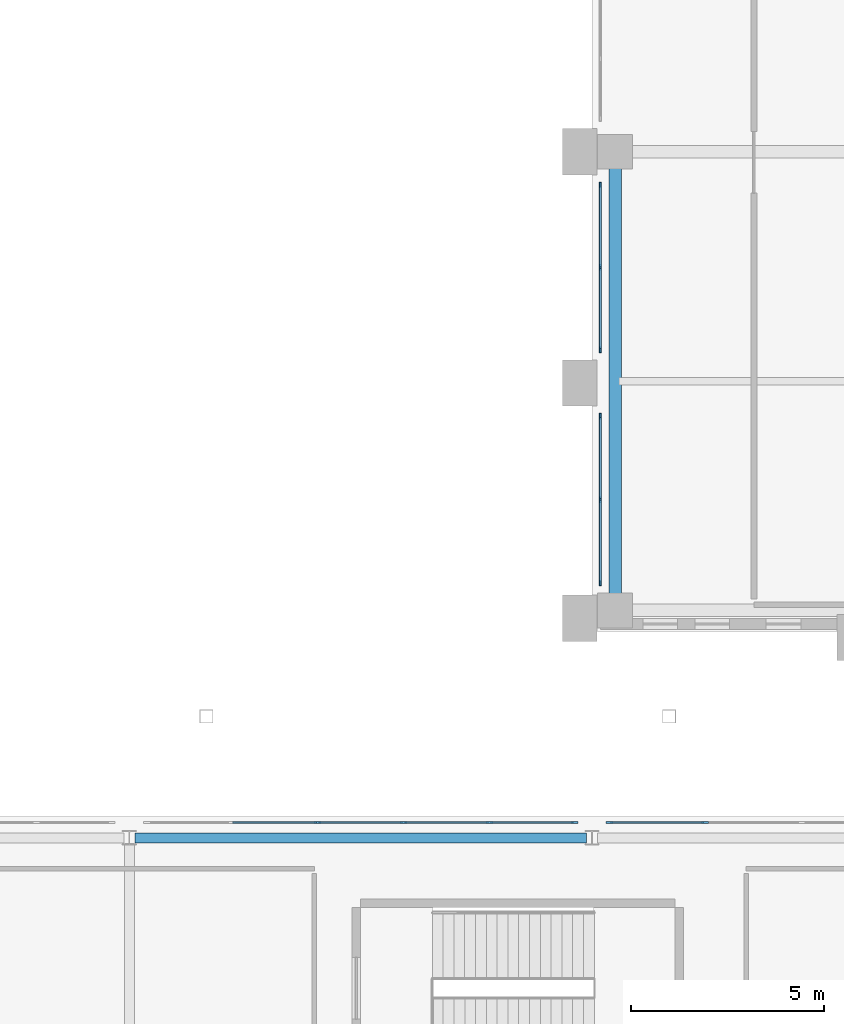
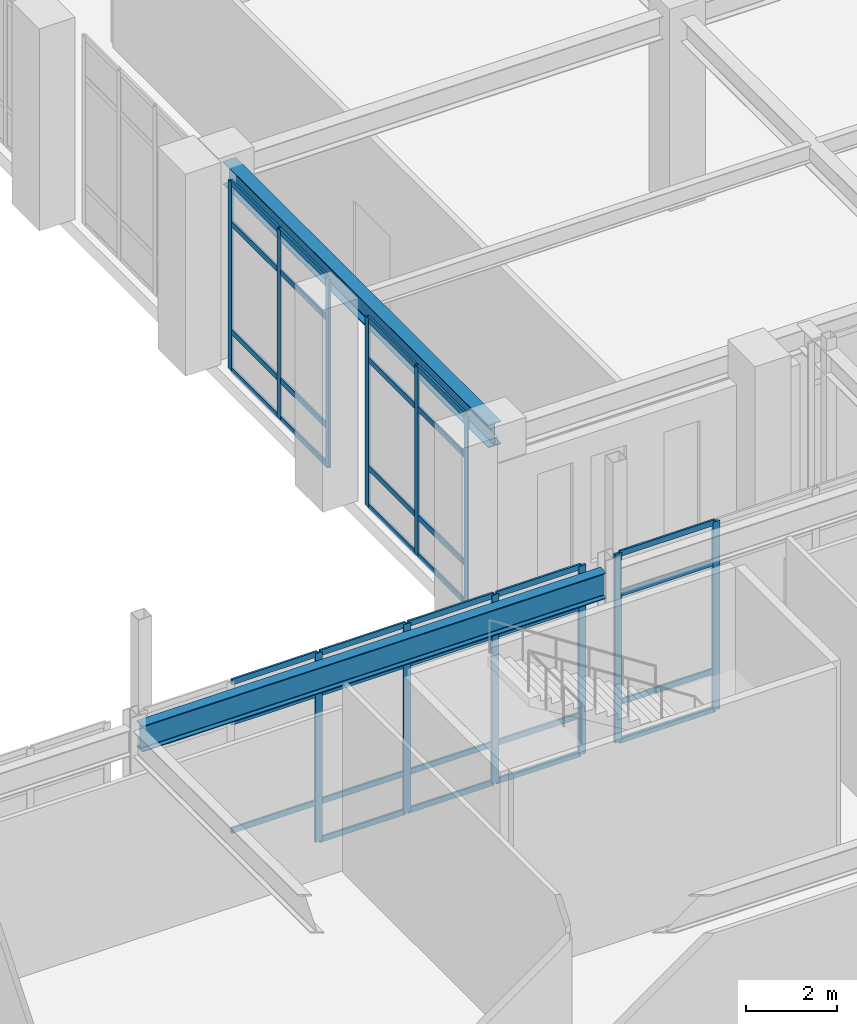
# One storey, part 75 of 159: 47 members, 2 beams, 4 elements without a shape of their own.
"""IFC4 building model written with IfcOpenShell, lengths in metres."""

from ifc_helpers import new_model, si_unit, derived_unit, direction, frame, origin, origin_2d, place, context, subcontext, project, spatial, rectangle, i_section, extrude, material, layer, layer_set, material_profile, profile_set, type_object, element, aggregate, save


model = new_model("IFC4")

# Units and contexts
model_context = context("Model", 3, precision=1e-05, world=origin(), true_north=direction((0.0, 1.0)))
body_context = subcontext(model_context, "Body", "Model", "MODEL_VIEW")
ifc_project = project(units=[si_unit("LENGTHUNIT", "METRE"), si_unit("AREAUNIT", "SQUARE_METRE"), si_unit("VOLUMEUNIT", "CUBIC_METRE"), si_unit("PLANEANGLEUNIT", "RADIAN"), si_unit("MASSUNIT", "GRAM", prefix="KILO"), derived_unit("THERMALTRANSMITTANCEUNIT", [(si_unit("MASSUNIT", "GRAM", prefix="KILO"), 1), (si_unit("TIMEUNIT", "SECOND"), -3), (si_unit("THERMODYNAMICTEMPERATUREUNIT", "KELVIN"), -1)])], contexts=[model_context])

# Site, building, storey
site_placement = place(None, origin())
site = spatial("IfcSite", under=ifc_project, at=site_placement, CompositionType="ELEMENT")
building_placement = place(site_placement, origin())
building = spatial("IfcBuilding", under=site, at=building_placement, Name="Valcora Ridge Arena", CompositionType="ELEMENT")
storey_placement = place(building_placement, frame((0.0, 0.0, 6.0)))
storey = spatial("IfcBuildingStorey", under=building, at=storey_placement, Name="L01", CompositionType="ELEMENT", Elevation=6.0)

# Beams
ifc_material_1 = material(Name="Steel ASTM A572 Grade 50", Category="steel")
ifc_material_profile_1 = material_profile(ifc_material_1, i_section(OverallWidth=0.324951171875, OverallDepth=0.612060546875, WebThickness=0.0126953125, FlangeThickness=0.01904296875, FilletRadius=0.01806640625, at=origin_2d()), Name="W24X104")
ifc_profile_set_1 = profile_set([ifc_material_profile_1], Name="Steel ASTM A572 Grade 50")
beam_type_1 = type_object("IfcBeamType", Name="TY-BEAM-G-W24X104-Y", PredefinedType="BEAM", material=ifc_profile_set_1)
beam_1_placement = place(storey_placement, frame((156.60009765625, 83.840087890625, 4.73388671875), z_axis=(0.0, 1.0, 0.0), x_axis=(-1.0, 0.0, 0.0)))
element("IfcBeam", 1, at=beam_1_placement, inside=storey, type_object=beam_type_1, Name="G-W24X104-Y BEM-G-W24X104-Y-0060", PredefinedType="BEAM", context=body_context, shape_type="SweptSolid", body=[
    extrude(i_section(OverallWidth=0.324951171875, OverallDepth=0.612060546875, WebThickness=0.0126953125, FlangeThickness=0.01904296875, FilletRadius=0.01806640625, at=origin_2d()), origin(), (0.0, 0.0, 1.0), 11.619873046875),
])
ifc_material_profile_2 = material_profile(ifc_material_1, i_section(OverallWidth=0.256103515625, OverallDepth=0.693115234375, WebThickness=0.014404296875, FlangeThickness=0.023681640625, FilletRadius=0.02001953125, at=origin_2d()), Name="W27X114")
ifc_profile_set_2 = profile_set([ifc_material_profile_2], Name="Steel ASTM A572 Grade 50")
beam_type_2 = type_object("IfcBeamType", Name="TY-BEAM-SP-W27X114", PredefinedType="SPANDREL", material=ifc_profile_set_2)
beam_2_placement = place(storey_placement, frame((144.139892578125, 77.800048828125, 4.693603515625), z_axis=(1.0, 0.0, 0.0), x_axis=(0.0, 1.0, 0.0)))
element("IfcBeam", 2, at=beam_2_placement, inside=storey, type_object=beam_type_2, Name="SP-W27X114 BEM-SP-W27X114-0017", PredefinedType="SPANDREL", context=body_context, shape_type="SweptSolid", body=[
    extrude(i_section(OverallWidth=0.256103515625, OverallDepth=0.693115234375, WebThickness=0.014404296875, FlangeThickness=0.023681640625, FilletRadius=0.02001953125, at=origin_2d()), origin(), (0.0, 0.0, 1.0), 11.72021484375),
])

# Curtain wall, members
ifc_material_2 = material(Name="Anodised dark bronze architectural aluminium 6063-T6", Category="aluminium")
ifc_layer_1 = layer(ifc_material_2, 0.14990234375, Name="Anodised dark bronze architectural aluminium 6063-T6")
ifc_layer_set_1 = layer_set([ifc_layer_1], Name="Anodised dark bronze architectural aluminium 6063-T6")
curtain_wall_type_1 = type_object("IfcCurtainWallType", Name="TY-CURTAINWALL-CW-V5-MED-044X50", PredefinedType="NOTDEFINED", material=ifc_layer_set_1)
curtain_wall_1_placement = place(storey_placement, origin())
curtain_wall_1 = element("IfcCurtainWall", 3, at=curtain_wall_1_placement, inside=storey, type_object=curtain_wall_type_1, Name="CW-V5-MED-044X50 CW-0322", PredefinedType="NOTDEFINED")
ifc_material_profile_3 = material_profile(ifc_material_2, rectangle(XDim=0.050048828125, YDim=0.14990234375, at=origin_2d()), Name="ALU MULLION 50x150")
ifc_profile_set_3 = profile_set([ifc_material_profile_3], Name="Anodised dark bronze architectural aluminium 6063-T6")
member_type_1 = type_object("IfcMemberType", Name="TY-MEM-CWM-50x150", PredefinedType="MULLION", material=ifc_profile_set_3)
member_1_placement = place(storey_placement, frame((156.219970703125, 84.4150390625, 0.0), z_axis=(0.0, 0.0, 1.0), x_axis=(-1.0, 0.0, 0.0)))
member_1 = element("IfcMember", 4, at=member_1_placement, type_object=member_type_1, Name="CW-0322/CWM-50x150/M00", PredefinedType="MULLION", context=body_context, shape_type="SweptSolid", body=[
    extrude(rectangle(XDim=0.050048828125, YDim=0.14990234375, at=origin_2d()), origin(), (0.0, 0.0, 1.0), 5.0400390625),
])
member_2_placement = place(storey_placement, frame((156.219970703125, 86.574951171875, 0.0), z_axis=(0.0, 0.0, 1.0), x_axis=(-1.0, 0.0, 0.0)))
member_2 = element("IfcMember", 5, at=member_2_placement, type_object=member_type_1, Name="CW-0322/CWM-50x150/M01", PredefinedType="MULLION", context=body_context, shape_type="SweptSolid", body=[
    extrude(rectangle(XDim=0.050048828125, YDim=0.14990234375, at=origin_2d()), origin(), (0.0, 0.0, 1.0), 5.0400390625),
])
member_3_placement = place(storey_placement, frame((156.219970703125, 88.735107421875, 0.0), z_axis=(0.0, 0.0, 1.0), x_axis=(-1.0, 0.0, 0.0)))
member_3 = element("IfcMember", 6, at=member_3_placement, type_object=member_type_1, Name="CW-0322/CWM-50x150/M02", PredefinedType="MULLION", context=body_context, shape_type="SweptSolid", body=[
    extrude(rectangle(XDim=0.050048828125, YDim=0.14990234375, at=origin_2d()), origin(), (0.0, 0.0, 1.0), 5.0400390625),
])

ifc_layer_2 = layer(ifc_material_2, 0.14990234375, Name="Anodised dark bronze architectural aluminium 6063-T6")
ifc_layer_set_2 = layer_set([ifc_layer_2], Name="Anodised dark bronze architectural aluminium 6063-T6")
curtain_wall_type_2 = type_object("IfcCurtainWallType", Name="TY-CURTAINWALL-CW-V5-MED-043X50", PredefinedType="NOTDEFINED", material=ifc_layer_set_2)
curtain_wall_2_placement = place(storey_placement, origin())
curtain_wall_2 = element("IfcCurtainWall", 7, at=curtain_wall_2_placement, inside=storey, type_object=curtain_wall_type_2, Name="CW-V5-MED-043X50 CW-0323", PredefinedType="NOTDEFINED")
member_4_placement = place(storey_placement, frame((156.219970703125, 90.465087890625, 0.0), z_axis=(0.0, 0.0, 1.0), x_axis=(-1.0, 0.0, 0.0)))
member_4 = element("IfcMember", 8, at=member_4_placement, type_object=member_type_1, Name="CW-0323/CWM-50x150/M00", PredefinedType="MULLION", context=body_context, shape_type="SweptSolid", body=[
    extrude(rectangle(XDim=0.050048828125, YDim=0.14990234375, at=origin_2d()), origin(), (0.0, 0.0, 1.0), 5.0400390625),
])
member_5_placement = place(storey_placement, frame((156.219970703125, 92.60009765625, 0.0), z_axis=(0.0, 0.0, 1.0), x_axis=(-1.0, 0.0, 0.0)))
member_5 = element("IfcMember", 9, at=member_5_placement, type_object=member_type_1, Name="CW-0323/CWM-50x150/M01", PredefinedType="MULLION", context=body_context, shape_type="SweptSolid", body=[
    extrude(rectangle(XDim=0.050048828125, YDim=0.14990234375, at=origin_2d()), origin(), (0.0, 0.0, 1.0), 5.0400390625),
])
member_6_placement = place(storey_placement, frame((156.219970703125, 94.735107421875, 0.0), z_axis=(0.0, 0.0, 1.0), x_axis=(-1.0, 0.0, 0.0)))
member_6 = element("IfcMember", 10, at=member_6_placement, type_object=member_type_1, Name="CW-0323/CWM-50x150/M02", PredefinedType="MULLION", context=body_context, shape_type="SweptSolid", body=[
    extrude(rectangle(XDim=0.050048828125, YDim=0.14990234375, at=origin_2d()), origin(), (0.0, 0.0, 1.0), 5.0400390625),
])

ifc_layer_3 = layer(ifc_material_2, 0.179931640625, Name="Anodised dark bronze architectural aluminium 6063-T6")
ifc_layer_set_3 = layer_set([ifc_layer_3], Name="Anodised dark bronze architectural aluminium 6063-T6")
curtain_wall_type_3 = type_object("IfcCurtainWallType", Name="TY-CURTAINWALL-CW-V2-GLAZ-111X50", PredefinedType="NOTDEFINED", material=ifc_layer_set_3)
curtain_wall_3_placement = place(storey_placement, origin())
curtain_wall_3 = element("IfcCurtainWall", 11, at=curtain_wall_3_placement, inside=storey, type_object=curtain_wall_type_3, Name="CW-V2-GLAZ-111X50 CW-0058", PredefinedType="NOTDEFINED")
ifc_material_profile_4 = material_profile(ifc_material_2, rectangle(XDim=0.06005859375, YDim=0.179931640625, at=origin_2d()), Name="ALU MULLION 60x180")
ifc_profile_set_4 = profile_set([ifc_material_profile_4], Name="Anodised dark bronze architectural aluminium 6063-T6")
member_type_2 = type_object("IfcMemberType", Name="TY-MEM-CWM-60x180", PredefinedType="MULLION", material=ifc_profile_set_4)
member_7_placement = place(storey_placement, frame((148.885498046875, 78.199951171875, 0.0), z_axis=(0.0, 0.0, 1.0), x_axis=(0.0, 1.0, 0.0)))
member_7 = element("IfcMember", 12, at=member_7_placement, type_object=member_type_2, Name="CW-0058/CWM-60x180/M02", PredefinedType="MULLION", context=body_context, shape_type="SweptSolid", body=[
    extrude(rectangle(XDim=0.06005859375, YDim=0.179931640625, at=origin_2d()), origin(), (0.0, 0.0, 1.0), 5.0400390625),
])
member_8_placement = place(storey_placement, frame((151.114501953125, 78.199951171875, 0.0), z_axis=(0.0, 0.0, 1.0), x_axis=(0.0, 1.0, 0.0)))
member_8 = element("IfcMember", 13, at=member_8_placement, type_object=member_type_2, Name="CW-0058/CWM-60x180/M03", PredefinedType="MULLION", context=body_context, shape_type="SweptSolid", body=[
    extrude(rectangle(XDim=0.06005859375, YDim=0.179931640625, at=origin_2d()), origin(), (0.0, 0.0, 1.0), 5.0400390625),
])
member_9_placement = place(storey_placement, frame((153.34375, 78.199951171875, 0.0), z_axis=(0.0, 0.0, 1.0), x_axis=(0.0, 1.0, 0.0)))
member_9 = element("IfcMember", 14, at=member_9_placement, type_object=member_type_2, Name="CW-0058/CWM-60x180/M04", PredefinedType="MULLION", context=body_context, shape_type="SweptSolid", body=[
    extrude(rectangle(XDim=0.06005859375, YDim=0.179931640625, at=origin_2d()), origin(), (0.0, 0.0, 1.0), 5.0400390625),
])
member_10_placement = place(storey_placement, frame((155.54296875, 78.199951171875, 0.0), z_axis=(0.0, 0.0, 1.0), x_axis=(0.0, 1.0, 0.0)))
member_10 = element("IfcMember", 15, at=member_10_placement, type_object=member_type_2, Name="CW-0058/CWM-60x180/M05", PredefinedType="MULLION", context=body_context, shape_type="SweptSolid", body=[
    extrude(rectangle(XDim=0.06005859375, YDim=0.179931640625, at=origin_2d()), origin(), (0.0, 0.0, 1.0), 5.0400390625),
])

ifc_layer_4 = layer(ifc_material_2, 0.179931640625, Name="Anodised dark bronze architectural aluminium 6063-T6")
ifc_layer_set_4 = layer_set([ifc_layer_4], Name="Anodised dark bronze architectural aluminium 6063-T6")
curtain_wall_type_4 = type_object("IfcCurtainWallType", Name="TY-CURTAINWALL-CW-V2-GLAZ-075X50", PredefinedType="NOTDEFINED", material=ifc_layer_set_4)
curtain_wall_4_placement = place(storey_placement, origin())
curtain_wall_4 = element("IfcCurtainWall", 16, at=curtain_wall_4_placement, inside=storey, type_object=curtain_wall_type_4, Name="CW-V2-GLAZ-075X50 CW-0059", PredefinedType="NOTDEFINED")
member_11_placement = place(storey_placement, frame((156.45703125, 78.199951171875, 0.0), z_axis=(0.0, 0.0, 1.0), x_axis=(0.0, 1.0, 0.0)))
member_11 = element("IfcMember", 17, at=member_11_placement, type_object=member_type_2, Name="CW-0059/CWM-60x180/M00", PredefinedType="MULLION", context=body_context, shape_type="SweptSolid", body=[
    extrude(rectangle(XDim=0.06005859375, YDim=0.179931640625, at=origin_2d()), origin(), (0.0, 0.0, 1.0), 5.0400390625),
])
member_12_placement = place(storey_placement, frame((158.934814453125, 78.199951171875, 0.0), z_axis=(0.0, 0.0, 1.0), x_axis=(0.0, 1.0, 0.0)))
member_12 = element("IfcMember", 18, at=member_12_placement, type_object=member_type_2, Name="CW-0059/CWM-60x180/M01", PredefinedType="MULLION", context=body_context, shape_type="SweptSolid", body=[
    extrude(rectangle(XDim=0.06005859375, YDim=0.179931640625, at=origin_2d()), origin(), (0.0, 0.0, 1.0), 5.0400390625),
])

# Member
ifc_material_profile_5 = material_profile(ifc_material_2, rectangle(XDim=0.050048828125, YDim=0.14990234375, at=origin_2d()), Name="ALU TRANSOM 50x150")
ifc_profile_set_5 = profile_set([ifc_material_profile_5], Name="Anodised dark bronze architectural aluminium 6063-T6")
member_type_3 = type_object("IfcMemberType", Name="TY-MEM-CWT-50x150", PredefinedType="USERDEFINED", material=ifc_profile_set_5)
member_13_placement = place(storey_placement, frame((146.68603515625, 78.199951171875, 1.050048828125), z_axis=(1.0, 0.0, 0.0), x_axis=(0.0, 1.0, 0.0)))
member_13 = element("IfcMember", 19, at=member_13_placement, type_object=member_type_3, Name="CW-0058/CWT-50x150/T01-01", ObjectType="TRANSOM", PredefinedType="USERDEFINED", context=body_context, shape_type="SweptSolid", body=[
    extrude(rectangle(XDim=0.050048828125, YDim=0.14990234375, at=origin_2d()), origin(), (0.0, 0.0, 1.0), 2.1689453125),
])

member_14_placement = place(storey_placement, frame((146.68603515625, 78.199951171875, 3.93994140625), z_axis=(1.0, 0.0, 0.0), x_axis=(0.0, 1.0, 0.0)))
member_14 = element("IfcMember", 20, at=member_14_placement, type_object=member_type_3, Name="CW-0058/CWT-50x150/T01-02", ObjectType="TRANSOM", PredefinedType="USERDEFINED", context=body_context, shape_type="SweptSolid", body=[
    extrude(rectangle(XDim=0.050048828125, YDim=0.14990234375, at=origin_2d()), origin(), (0.0, 0.0, 1.0), 2.1689453125),
])

member_15_placement = place(storey_placement, frame((146.68603515625, 78.199951171875, 5.014892578125), z_axis=(1.0, 0.0, 0.0), x_axis=(0.0, 1.0, 0.0)))
member_15 = element("IfcMember", 21, at=member_15_placement, type_object=member_type_3, Name="CW-0058/CWT-50x150/T01-03", ObjectType="TRANSOM", PredefinedType="USERDEFINED", context=body_context, shape_type="SweptSolid", body=[
    extrude(rectangle(XDim=0.050048828125, YDim=0.14990234375, at=origin_2d()), origin(), (0.0, 0.0, 1.0), 2.1689453125),
])

member_16_placement = place(storey_placement, frame((148.9150390625, 78.199951171875, 0.02490234375), z_axis=(1.0, 0.0, 0.0), x_axis=(0.0, 1.0, 0.0)))
member_16 = element("IfcMember", 22, at=member_16_placement, type_object=member_type_3, Name="CW-0058/CWT-50x150/T02-00", ObjectType="TRANSOM", PredefinedType="USERDEFINED", context=body_context, shape_type="SweptSolid", body=[
    extrude(rectangle(XDim=0.050048828125, YDim=0.14990234375, at=origin_2d()), origin(), (0.0, 0.0, 1.0), 2.169921875),
])

member_17_placement = place(storey_placement, frame((148.9150390625, 78.199951171875, 1.050048828125), z_axis=(1.0, 0.0, 0.0), x_axis=(0.0, 1.0, 0.0)))
member_17 = element("IfcMember", 23, at=member_17_placement, type_object=member_type_3, Name="CW-0058/CWT-50x150/T02-01", ObjectType="TRANSOM", PredefinedType="USERDEFINED", context=body_context, shape_type="SweptSolid", body=[
    extrude(rectangle(XDim=0.050048828125, YDim=0.14990234375, at=origin_2d()), origin(), (0.0, 0.0, 1.0), 2.169921875),
])

member_18_placement = place(storey_placement, frame((148.9150390625, 78.199951171875, 3.93994140625), z_axis=(1.0, 0.0, 0.0), x_axis=(0.0, 1.0, 0.0)))
member_18 = element("IfcMember", 24, at=member_18_placement, type_object=member_type_3, Name="CW-0058/CWT-50x150/T02-02", ObjectType="TRANSOM", PredefinedType="USERDEFINED", context=body_context, shape_type="SweptSolid", body=[
    extrude(rectangle(XDim=0.050048828125, YDim=0.14990234375, at=origin_2d()), origin(), (0.0, 0.0, 1.0), 2.169921875),
])

member_19_placement = place(storey_placement, frame((148.9150390625, 78.199951171875, 5.014892578125), z_axis=(1.0, 0.0, 0.0), x_axis=(0.0, 1.0, 0.0)))
member_19 = element("IfcMember", 25, at=member_19_placement, type_object=member_type_3, Name="CW-0058/CWT-50x150/T02-03", ObjectType="TRANSOM", PredefinedType="USERDEFINED", context=body_context, shape_type="SweptSolid", body=[
    extrude(rectangle(XDim=0.050048828125, YDim=0.14990234375, at=origin_2d()), origin(), (0.0, 0.0, 1.0), 2.169921875),
])

member_20_placement = place(storey_placement, frame((151.14501953125, 78.199951171875, 0.02490234375), z_axis=(1.0, 0.0, 0.0), x_axis=(0.0, 1.0, 0.0)))
member_20 = element("IfcMember", 26, at=member_20_placement, type_object=member_type_3, Name="CW-0058/CWT-50x150/T03-00", ObjectType="TRANSOM", PredefinedType="USERDEFINED", context=body_context, shape_type="SweptSolid", body=[
    extrude(rectangle(XDim=0.050048828125, YDim=0.14990234375, at=origin_2d()), origin(), (0.0, 0.0, 1.0), 2.1689453125),
])

member_21_placement = place(storey_placement, frame((151.14501953125, 78.199951171875, 1.050048828125), z_axis=(1.0, 0.0, 0.0), x_axis=(0.0, 1.0, 0.0)))
member_21 = element("IfcMember", 27, at=member_21_placement, type_object=member_type_3, Name="CW-0058/CWT-50x150/T03-01", ObjectType="TRANSOM", PredefinedType="USERDEFINED", context=body_context, shape_type="SweptSolid", body=[
    extrude(rectangle(XDim=0.050048828125, YDim=0.14990234375, at=origin_2d()), origin(), (0.0, 0.0, 1.0), 2.1689453125),
])

member_22_placement = place(storey_placement, frame((151.14501953125, 78.199951171875, 3.93994140625), z_axis=(1.0, 0.0, 0.0), x_axis=(0.0, 1.0, 0.0)))
member_22 = element("IfcMember", 28, at=member_22_placement, type_object=member_type_3, Name="CW-0058/CWT-50x150/T03-02", ObjectType="TRANSOM", PredefinedType="USERDEFINED", context=body_context, shape_type="SweptSolid", body=[
    extrude(rectangle(XDim=0.050048828125, YDim=0.14990234375, at=origin_2d()), origin(), (0.0, 0.0, 1.0), 2.1689453125),
])

member_23_placement = place(storey_placement, frame((151.14501953125, 78.199951171875, 5.014892578125), z_axis=(1.0, 0.0, 0.0), x_axis=(0.0, 1.0, 0.0)))
member_23 = element("IfcMember", 29, at=member_23_placement, type_object=member_type_3, Name="CW-0058/CWT-50x150/T03-03", ObjectType="TRANSOM", PredefinedType="USERDEFINED", context=body_context, shape_type="SweptSolid", body=[
    extrude(rectangle(XDim=0.050048828125, YDim=0.14990234375, at=origin_2d()), origin(), (0.0, 0.0, 1.0), 2.1689453125),
])

member_24_placement = place(storey_placement, frame((153.3740234375, 78.199951171875, 0.02490234375), z_axis=(1.0, 0.0, 0.0), x_axis=(0.0, 1.0, 0.0)))
member_24 = element("IfcMember", 30, at=member_24_placement, type_object=member_type_3, Name="CW-0058/CWT-50x150/T04-00", ObjectType="TRANSOM", PredefinedType="USERDEFINED", context=body_context, shape_type="SweptSolid", body=[
    extrude(rectangle(XDim=0.050048828125, YDim=0.14990234375, at=origin_2d()), origin(), (0.0, 0.0, 1.0), 2.138916015625),
])

member_25_placement = place(storey_placement, frame((153.3740234375, 78.199951171875, 1.050048828125), z_axis=(1.0, 0.0, 0.0), x_axis=(0.0, 1.0, 0.0)))
member_25 = element("IfcMember", 31, at=member_25_placement, type_object=member_type_3, Name="CW-0058/CWT-50x150/T04-01", ObjectType="TRANSOM", PredefinedType="USERDEFINED", context=body_context, shape_type="SweptSolid", body=[
    extrude(rectangle(XDim=0.050048828125, YDim=0.14990234375, at=origin_2d()), origin(), (0.0, 0.0, 1.0), 2.138916015625),
])

member_26_placement = place(storey_placement, frame((153.3740234375, 78.199951171875, 3.93994140625), z_axis=(1.0, 0.0, 0.0), x_axis=(0.0, 1.0, 0.0)))
member_26 = element("IfcMember", 32, at=member_26_placement, type_object=member_type_3, Name="CW-0058/CWT-50x150/T04-02", ObjectType="TRANSOM", PredefinedType="USERDEFINED", context=body_context, shape_type="SweptSolid", body=[
    extrude(rectangle(XDim=0.050048828125, YDim=0.14990234375, at=origin_2d()), origin(), (0.0, 0.0, 1.0), 2.138916015625),
])

member_27_placement = place(storey_placement, frame((153.3740234375, 78.199951171875, 5.014892578125), z_axis=(1.0, 0.0, 0.0), x_axis=(0.0, 1.0, 0.0)))
member_27 = element("IfcMember", 33, at=member_27_placement, type_object=member_type_3, Name="CW-0058/CWT-50x150/T04-03", ObjectType="TRANSOM", PredefinedType="USERDEFINED", context=body_context, shape_type="SweptSolid", body=[
    extrude(rectangle(XDim=0.050048828125, YDim=0.14990234375, at=origin_2d()), origin(), (0.0, 0.0, 1.0), 2.138916015625),
])

aggregate(curtain_wall_3, [member_7, member_8, member_9, member_10, member_13, member_14, member_15, member_16, member_17, member_18, member_19, member_20, member_21, member_22, member_23, member_24, member_25, member_26, member_27])

member_28_placement = place(storey_placement, frame((156.487060546875, 78.199951171875, 0.02490234375), z_axis=(1.0, 0.0, 0.0), x_axis=(0.0, 1.0, 0.0)))
member_28 = element("IfcMember", 34, at=member_28_placement, type_object=member_type_3, Name="CW-0059/CWT-50x150/T00-00", ObjectType="TRANSOM", PredefinedType="USERDEFINED", context=body_context, shape_type="SweptSolid", body=[
    extrude(rectangle(XDim=0.050048828125, YDim=0.14990234375, at=origin_2d()), origin(), (0.0, 0.0, 1.0), 2.41796875),
])

member_29_placement = place(storey_placement, frame((156.487060546875, 78.199951171875, 1.050048828125), z_axis=(1.0, 0.0, 0.0), x_axis=(0.0, 1.0, 0.0)))
member_29 = element("IfcMember", 35, at=member_29_placement, type_object=member_type_3, Name="CW-0059/CWT-50x150/T00-01", ObjectType="TRANSOM", PredefinedType="USERDEFINED", context=body_context, shape_type="SweptSolid", body=[
    extrude(rectangle(XDim=0.050048828125, YDim=0.14990234375, at=origin_2d()), origin(), (0.0, 0.0, 1.0), 2.41796875),
])

member_30_placement = place(storey_placement, frame((156.487060546875, 78.199951171875, 3.93994140625), z_axis=(1.0, 0.0, 0.0), x_axis=(0.0, 1.0, 0.0)))
member_30 = element("IfcMember", 36, at=member_30_placement, type_object=member_type_3, Name="CW-0059/CWT-50x150/T00-02", ObjectType="TRANSOM", PredefinedType="USERDEFINED", context=body_context, shape_type="SweptSolid", body=[
    extrude(rectangle(XDim=0.050048828125, YDim=0.14990234375, at=origin_2d()), origin(), (0.0, 0.0, 1.0), 2.41796875),
])

member_31_placement = place(storey_placement, frame((156.487060546875, 78.199951171875, 5.014892578125), z_axis=(1.0, 0.0, 0.0), x_axis=(0.0, 1.0, 0.0)))
member_31 = element("IfcMember", 37, at=member_31_placement, type_object=member_type_3, Name="CW-0059/CWT-50x150/T00-03", ObjectType="TRANSOM", PredefinedType="USERDEFINED", context=body_context, shape_type="SweptSolid", body=[
    extrude(rectangle(XDim=0.050048828125, YDim=0.14990234375, at=origin_2d()), origin(), (0.0, 0.0, 1.0), 2.41796875),
])

aggregate(curtain_wall_4, [member_11, member_12, member_28, member_29, member_30, member_31])

member_32_placement = place(storey_placement, frame((156.219970703125, 84.43994140625, 0.02490234375), z_axis=(0.0, 1.0, 0.0), x_axis=(-1.0, 0.0, 0.0)))
member_32 = element("IfcMember", 38, at=member_32_placement, type_object=member_type_3, Name="CW-0322/CWT-50x150/T00-00", ObjectType="TRANSOM", PredefinedType="USERDEFINED", context=body_context, shape_type="SweptSolid", body=[
    extrude(rectangle(XDim=0.050048828125, YDim=0.14990234375, at=origin_2d()), origin(), (0.0, 0.0, 1.0), 2.110107421875),
])

member_33_placement = place(storey_placement, frame((156.219970703125, 84.43994140625, 1.050048828125), z_axis=(0.0, 1.0, 0.0), x_axis=(-1.0, 0.0, 0.0)))
member_33 = element("IfcMember", 39, at=member_33_placement, type_object=member_type_3, Name="CW-0322/CWT-50x150/T00-01", ObjectType="TRANSOM", PredefinedType="USERDEFINED", context=body_context, shape_type="SweptSolid", body=[
    extrude(rectangle(XDim=0.050048828125, YDim=0.14990234375, at=origin_2d()), origin(), (0.0, 0.0, 1.0), 2.110107421875),
])

member_34_placement = place(storey_placement, frame((156.219970703125, 84.43994140625, 3.93994140625), z_axis=(0.0, 1.0, 0.0), x_axis=(-1.0, 0.0, 0.0)))
member_34 = element("IfcMember", 40, at=member_34_placement, type_object=member_type_3, Name="CW-0322/CWT-50x150/T00-02", ObjectType="TRANSOM", PredefinedType="USERDEFINED", context=body_context, shape_type="SweptSolid", body=[
    extrude(rectangle(XDim=0.050048828125, YDim=0.14990234375, at=origin_2d()), origin(), (0.0, 0.0, 1.0), 2.110107421875),
])

member_35_placement = place(storey_placement, frame((156.219970703125, 84.43994140625, 5.014892578125), z_axis=(0.0, 1.0, 0.0), x_axis=(-1.0, 0.0, 0.0)))
member_35 = element("IfcMember", 41, at=member_35_placement, type_object=member_type_3, Name="CW-0322/CWT-50x150/T00-03", ObjectType="TRANSOM", PredefinedType="USERDEFINED", context=body_context, shape_type="SweptSolid", body=[
    extrude(rectangle(XDim=0.050048828125, YDim=0.14990234375, at=origin_2d()), origin(), (0.0, 0.0, 1.0), 2.110107421875),
])

member_36_placement = place(storey_placement, frame((156.219970703125, 86.60009765625, 0.02490234375), z_axis=(0.0, 1.0, 0.0), x_axis=(-1.0, 0.0, 0.0)))
member_36 = element("IfcMember", 42, at=member_36_placement, type_object=member_type_3, Name="CW-0322/CWT-50x150/T01-00", ObjectType="TRANSOM", PredefinedType="USERDEFINED", context=body_context, shape_type="SweptSolid", body=[
    extrude(rectangle(XDim=0.050048828125, YDim=0.14990234375, at=origin_2d()), origin(), (0.0, 0.0, 1.0), 2.10986328125),
])

member_37_placement = place(storey_placement, frame((156.219970703125, 86.60009765625, 1.050048828125), z_axis=(0.0, 1.0, 0.0), x_axis=(-1.0, 0.0, 0.0)))
member_37 = element("IfcMember", 43, at=member_37_placement, type_object=member_type_3, Name="CW-0322/CWT-50x150/T01-01", ObjectType="TRANSOM", PredefinedType="USERDEFINED", context=body_context, shape_type="SweptSolid", body=[
    extrude(rectangle(XDim=0.050048828125, YDim=0.14990234375, at=origin_2d()), origin(), (0.0, 0.0, 1.0), 2.10986328125),
])

member_38_placement = place(storey_placement, frame((156.219970703125, 86.60009765625, 3.93994140625), z_axis=(0.0, 1.0, 0.0), x_axis=(-1.0, 0.0, 0.0)))
member_38 = element("IfcMember", 44, at=member_38_placement, type_object=member_type_3, Name="CW-0322/CWT-50x150/T01-02", ObjectType="TRANSOM", PredefinedType="USERDEFINED", context=body_context, shape_type="SweptSolid", body=[
    extrude(rectangle(XDim=0.050048828125, YDim=0.14990234375, at=origin_2d()), origin(), (0.0, 0.0, 1.0), 2.10986328125),
])

member_39_placement = place(storey_placement, frame((156.219970703125, 86.60009765625, 5.014892578125), z_axis=(0.0, 1.0, 0.0), x_axis=(-1.0, 0.0, 0.0)))
member_39 = element("IfcMember", 45, at=member_39_placement, type_object=member_type_3, Name="CW-0322/CWT-50x150/T01-03", ObjectType="TRANSOM", PredefinedType="USERDEFINED", context=body_context, shape_type="SweptSolid", body=[
    extrude(rectangle(XDim=0.050048828125, YDim=0.14990234375, at=origin_2d()), origin(), (0.0, 0.0, 1.0), 2.10986328125),
])

aggregate(curtain_wall_1, [member_1, member_2, member_3, member_32, member_33, member_34, member_35, member_36, member_37, member_38, member_39])

member_40_placement = place(storey_placement, frame((156.219970703125, 90.489990234375, 0.02490234375), z_axis=(0.0, 1.0, 0.0), x_axis=(-1.0, 0.0, 0.0)))
member_40 = element("IfcMember", 46, at=member_40_placement, type_object=member_type_3, Name="CW-0323/CWT-50x150/T00-00", ObjectType="TRANSOM", PredefinedType="USERDEFINED", context=body_context, shape_type="SweptSolid", body=[
    extrude(rectangle(XDim=0.050048828125, YDim=0.14990234375, at=origin_2d()), origin(), (0.0, 0.0, 1.0), 2.0849609375),
])

member_41_placement = place(storey_placement, frame((156.219970703125, 90.489990234375, 1.050048828125), z_axis=(0.0, 1.0, 0.0), x_axis=(-1.0, 0.0, 0.0)))
member_41 = element("IfcMember", 47, at=member_41_placement, type_object=member_type_3, Name="CW-0323/CWT-50x150/T00-01", ObjectType="TRANSOM", PredefinedType="USERDEFINED", context=body_context, shape_type="SweptSolid", body=[
    extrude(rectangle(XDim=0.050048828125, YDim=0.14990234375, at=origin_2d()), origin(), (0.0, 0.0, 1.0), 2.0849609375),
])

member_42_placement = place(storey_placement, frame((156.219970703125, 90.489990234375, 3.93994140625), z_axis=(0.0, 1.0, 0.0), x_axis=(-1.0, 0.0, 0.0)))
member_42 = element("IfcMember", 48, at=member_42_placement, type_object=member_type_3, Name="CW-0323/CWT-50x150/T00-02", ObjectType="TRANSOM", PredefinedType="USERDEFINED", context=body_context, shape_type="SweptSolid", body=[
    extrude(rectangle(XDim=0.050048828125, YDim=0.14990234375, at=origin_2d()), origin(), (0.0, 0.0, 1.0), 2.0849609375),
])

member_43_placement = place(storey_placement, frame((156.219970703125, 90.489990234375, 5.014892578125), z_axis=(0.0, 1.0, 0.0), x_axis=(-1.0, 0.0, 0.0)))
member_43 = element("IfcMember", 49, at=member_43_placement, type_object=member_type_3, Name="CW-0323/CWT-50x150/T00-03", ObjectType="TRANSOM", PredefinedType="USERDEFINED", context=body_context, shape_type="SweptSolid", body=[
    extrude(rectangle(XDim=0.050048828125, YDim=0.14990234375, at=origin_2d()), origin(), (0.0, 0.0, 1.0), 2.0849609375),
])

member_44_placement = place(storey_placement, frame((156.219970703125, 92.625, 0.02490234375), z_axis=(0.0, 1.0, 0.0), x_axis=(-1.0, 0.0, 0.0)))
member_44 = element("IfcMember", 50, at=member_44_placement, type_object=member_type_3, Name="CW-0323/CWT-50x150/T01-00", ObjectType="TRANSOM", PredefinedType="USERDEFINED", context=body_context, shape_type="SweptSolid", body=[
    extrude(rectangle(XDim=0.050048828125, YDim=0.14990234375, at=origin_2d()), origin(), (0.0, 0.0, 1.0), 2.0849609375),
])

member_45_placement = place(storey_placement, frame((156.219970703125, 92.625, 1.050048828125), z_axis=(0.0, 1.0, 0.0), x_axis=(-1.0, 0.0, 0.0)))
member_45 = element("IfcMember", 51, at=member_45_placement, type_object=member_type_3, Name="CW-0323/CWT-50x150/T01-01", ObjectType="TRANSOM", PredefinedType="USERDEFINED", context=body_context, shape_type="SweptSolid", body=[
    extrude(rectangle(XDim=0.050048828125, YDim=0.14990234375, at=origin_2d()), origin(), (0.0, 0.0, 1.0), 2.0849609375),
])

member_46_placement = place(storey_placement, frame((156.219970703125, 92.625, 3.93994140625), z_axis=(0.0, 1.0, 0.0), x_axis=(-1.0, 0.0, 0.0)))
member_46 = element("IfcMember", 52, at=member_46_placement, type_object=member_type_3, Name="CW-0323/CWT-50x150/T01-02", ObjectType="TRANSOM", PredefinedType="USERDEFINED", context=body_context, shape_type="SweptSolid", body=[
    extrude(rectangle(XDim=0.050048828125, YDim=0.14990234375, at=origin_2d()), origin(), (0.0, 0.0, 1.0), 2.0849609375),
])

member_47_placement = place(storey_placement, frame((156.219970703125, 92.625, 5.014892578125), z_axis=(0.0, 1.0, 0.0), x_axis=(-1.0, 0.0, 0.0)))
member_47 = element("IfcMember", 53, at=member_47_placement, type_object=member_type_3, Name="CW-0323/CWT-50x150/T01-03", ObjectType="TRANSOM", PredefinedType="USERDEFINED", context=body_context, shape_type="SweptSolid", body=[
    extrude(rectangle(XDim=0.050048828125, YDim=0.14990234375, at=origin_2d()), origin(), (0.0, 0.0, 1.0), 2.0849609375),
])

aggregate(curtain_wall_2, [member_4, member_5, member_6, member_40, member_41, member_42, member_43, member_44, member_45, member_46, member_47])

save(model, "model.ifc")
